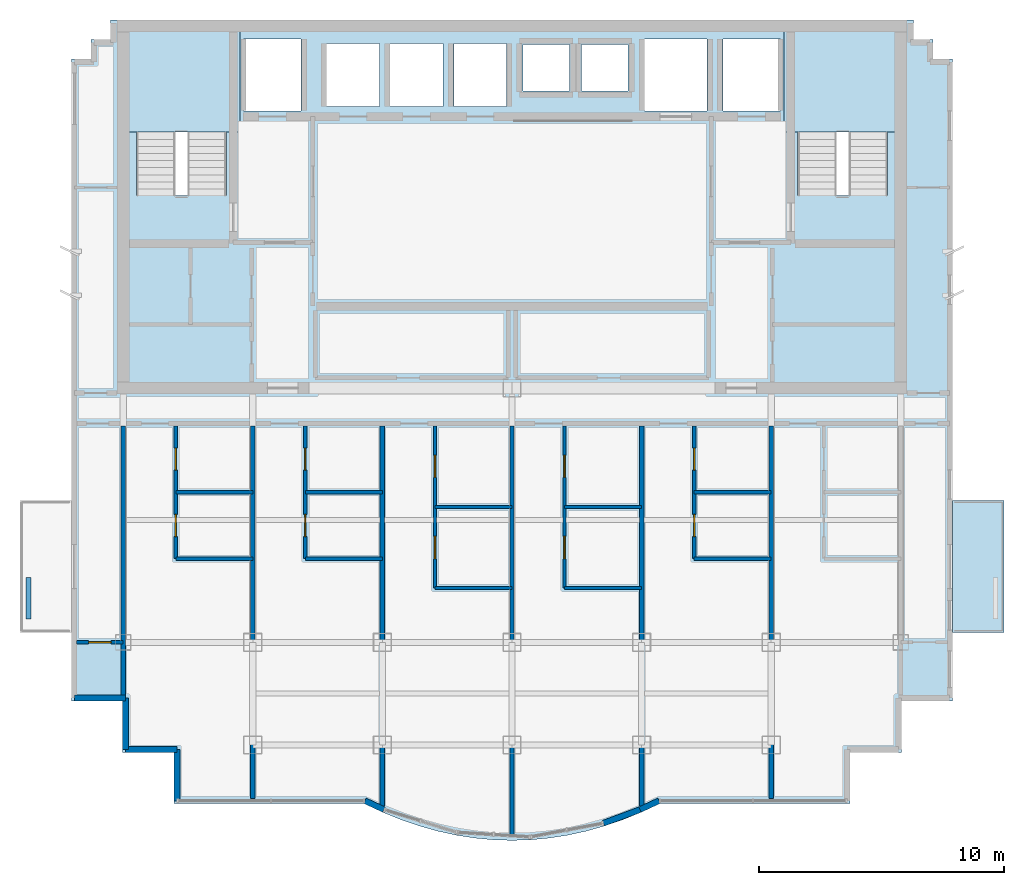
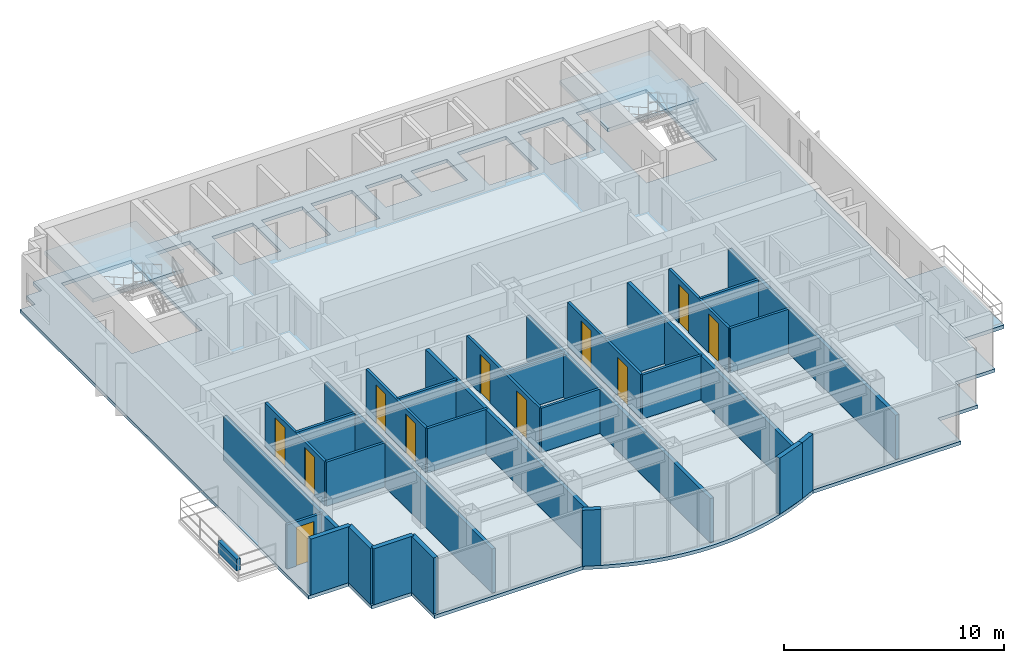
# One storey, part 3 of 9: 30 walls, 11 doors, 4 slabs, 11 openings, 2 elements without a shape of their own.
"""IFC4 building model written with IfcOpenShell, lengths in metres."""

from ifc_helpers import new_model, si_unit, direction, frame, frame_2d, origin, place, context, subcontext, project, spatial, polyline, rectangle, outline, extrude, material, layer, layer_set, type_object, element, fill, aggregate, save


model = new_model("IFC4")

# Units and contexts
model_context = context("Model", 3, precision=1e-05, world=origin(), true_north=direction((0.0, 1.0)))
body_context = subcontext(model_context, "Body", "Model", "MODEL_VIEW")
ifc_project = project(units=[si_unit("LENGTHUNIT", "METRE"), si_unit("AREAUNIT", "SQUARE_METRE"), si_unit("VOLUMEUNIT", "CUBIC_METRE"), si_unit("PLANEANGLEUNIT", "RADIAN"), si_unit("MASSUNIT", "GRAM", prefix="KILO")], contexts=[model_context])

# Site, building, storey
site_placement = place(None, origin())
site = spatial("IfcSite", under=ifc_project, at=site_placement, CompositionType="ELEMENT")
building_placement = place(site_placement, origin())
building = spatial("IfcBuilding", under=site, at=building_placement, Name="Qianlan Lanfeng Residences", CompositionType="ELEMENT")
storey_placement = place(building_placement, frame((0.0, 0.0, 233.0)))
storey = spatial("IfcBuildingStorey", under=building, at=storey_placement, Name="L64", CompositionType="ELEMENT", Elevation=233.0)

# Slabs
ifc_material_1 = material(Name="Concrete C42", Category="concrete")
ifc_layer_1 = layer(ifc_material_1, 0.199951171875)
ifc_layer_set_1 = layer_set([ifc_layer_1], Name="Concrete C42")
slab_type_1 = type_object("IfcSlabType", Name="S-BAL-200", PredefinedType="FLOOR", material=ifc_layer_set_1)
slab_1_placement = place(storey_placement, frame((0.0, 0.0, -0.199951171875)))
element("IfcSlab", 1, at=slab_1_placement, inside=storey, type_object=slab_type_1, Name="L64 Planted Tree Balcony Slab EB-N", PredefinedType="FLOOR", context=body_context, shape_type="SweptSolid", body=[
    extrude(outline(polyline([(44.52001953125, 20.60009765625), (44.52001953125, 15.199951171875), (46.6201171875, 15.199951171875), (46.6201171875, 20.60009765625), (44.52001953125, 20.60009765625)])), origin(), (0.0, 0.0, 1.0), 0.199951171875),
])
ifc_layer_2 = layer(ifc_material_1, 0.18994140625)
ifc_layer_set_2 = layer_set([ifc_layer_2], Name="Concrete C42")
slab_type_2 = type_object("IfcSlabType", Name="S-FL-190", PredefinedType="FLOOR", material=ifc_layer_set_2)
slab_2_placement = place(storey_placement, frame((0.0, 0.0, -0.18994140625)))
element("IfcSlab", 2, at=slab_2_placement, inside=storey, type_object=slab_type_2, Name="L64 Structural Floor Slab", PredefinedType="FLOOR", context=body_context, shape_type="SweptSolid", body=[
    extrude(outline(polyline([(8.47998046875, 12.39990234375), (10.580078125, 12.39990234375), (10.580078125, 10.300048828125), (12.679931640625, 10.300048828125), (12.679931640625, 8.199951171875), (20.4599609375, 8.199951171875), (21.215087890625, 7.847900390625), (21.969970703125, 7.5439453125), (22.72509765625, 7.285888671875), (23.47998046875, 7.074951171875), (24.235107421875, 6.910888671875), (24.989990234375, 6.7939453125), (25.7451171875, 6.722900390625), (26.5, 6.699951171875), (27.2548828125, 6.722900390625), (28.010009765625, 6.7939453125), (28.764892578125, 6.910888671875), (29.52001953125, 7.074951171875), (30.27490234375, 7.285888671875), (31.030029296875, 7.5439453125), (31.784912109375, 7.847900390625), (32.5400390625, 8.199951171875), (40.320068359375, 8.199951171875), (40.320068359375, 10.300048828125), (42.419921875, 10.300048828125), (42.419921875, 12.39990234375), (44.52001953125, 12.39990234375), (44.52001953125, 38.64990234375), (43.719970703125, 38.64990234375), (43.719970703125, 39.449951171875), (42.919921875, 39.449951171875), (42.919921875, 40.25), (10.080078125, 40.25), (10.080078125, 39.449951171875), (9.280029296875, 39.449951171875), (9.280029296875, 38.64990234375), (8.47998046875, 38.64990234375), (8.47998046875, 12.39990234375)]), holes=[polyline([(11.139892578125, 33.080078125), (11.139892578125, 39.5), (14.820068359375, 39.5), (14.820068359375, 33.080078125), (11.139892578125, 33.080078125)]), polyline([(38.179931640625, 33.080078125), (38.179931640625, 39.5), (41.860107421875, 39.5), (41.860107421875, 33.080078125), (38.179931640625, 33.080078125)]), polyline([(15.52001953125, 36.52001953125), (15.52001953125, 39.47998046875), (17.8798828125, 39.47998046875), (17.8798828125, 36.52001953125), (15.52001953125, 36.52001953125)]), polyline([(35.1201171875, 36.52001953125), (35.1201171875, 39.47998046875), (37.47998046875, 39.47998046875), (37.47998046875, 36.52001953125), (35.1201171875, 36.52001953125)]), polyline([(31.919921875, 36.52001953125), (31.919921875, 39.47998046875), (34.47998046875, 39.47998046875), (34.47998046875, 36.52001953125), (31.919921875, 36.52001953125)]), polyline([(18.919921875, 36.719970703125), (18.919921875, 39.280029296875), (21.080078125, 39.280029296875), (21.080078125, 36.719970703125), (18.919921875, 36.719970703125)]), polyline([(21.52001953125, 36.719970703125), (21.52001953125, 39.280029296875), (23.679931640625, 39.280029296875), (23.679931640625, 36.719970703125), (21.52001953125, 36.719970703125)]), polyline([(24.1201171875, 36.719970703125), (24.1201171875, 39.280029296875), (26.280029296875, 39.280029296875), (26.280029296875, 36.719970703125), (24.1201171875, 36.719970703125)]), polyline([(26.949951171875, 37.35009765625), (26.949951171875, 39.25), (28.85009765625, 39.25), (28.85009765625, 37.35009765625), (26.949951171875, 37.35009765625)]), polyline([(29.35009765625, 37.35009765625), (29.35009765625, 39.25), (31.25, 39.25), (31.25, 37.35009765625), (29.35009765625, 37.35009765625)])]), origin(), (0.0, 0.0, 1.0), 0.18994140625),
])

# Stair, slab
stair_type = type_object("IfcStairType", Name="STR-MAIN", PredefinedType="HALF_TURN_STAIR", material=ifc_material_1)
stair_1_placement = place(storey_placement, origin())
stair_1 = element("IfcStair", 3, at=stair_1_placement, inside=storey, type_object=stair_type, Name="L64 Exit Stair ST-1", PredefinedType="HALF_TURN_STAIR")
ifc_layer_3 = layer(ifc_material_1, 0.179931640625)
ifc_layer_set_3 = layer_set([ifc_layer_3], Name="Concrete C42")
slab_type_3 = type_object("IfcSlabType", Name="S-LND-180", PredefinedType="LANDING", material=ifc_layer_set_3)
slab_3_placement = place(storey_placement, frame((0.0, 0.0, 1.449951171875)))
slab_3 = element("IfcSlab", 4, at=slab_3_placement, type_object=slab_type_3, Name="ST-1 landing 1", PredefinedType="LANDING", context=body_context, shape_type="SweptSolid", body=[
    extrude(outline(polyline([(10.580078125, 35.659912109375), (15.3798828125, 35.659912109375), (15.3798828125, 40.050048828125), (10.580078125, 40.050048828125), (10.580078125, 35.659912109375)])), origin(), (0.0, 0.0, 1.0), 0.199951171875),
])
aggregate(stair_1, [slab_3])

stair_2_placement = place(storey_placement, origin())
stair_2 = element("IfcStair", 5, at=stair_2_placement, inside=storey, type_object=stair_type, Name="L64 Exit Stair ST-2", PredefinedType="HALF_TURN_STAIR")
slab_4_placement = place(storey_placement, frame((0.0, 0.0, 1.449951171875)))
slab_4 = element("IfcSlab", 6, at=slab_4_placement, type_object=slab_type_3, Name="ST-2 landing 1", PredefinedType="LANDING", context=body_context, shape_type="SweptSolid", body=[
    extrude(outline(polyline([(37.6201171875, 35.659912109375), (42.419921875, 35.659912109375), (42.419921875, 40.050048828125), (37.6201171875, 40.050048828125), (37.6201171875, 35.659912109375)])), origin(), (0.0, 0.0, 1.0), 0.199951171875),
])
aggregate(stair_2, [slab_4])

# Walls
ifc_layer_4 = layer(ifc_material_1, 0.239990234375)
ifc_layer_set_4 = layer_set([ifc_layer_4], Name="Concrete C42")
wall_type_1 = type_object("IfcWallType", Name="EW-240", PredefinedType="SOLIDWALL", material=ifc_layer_set_4)
wall_1_placement = place(storey_placement, frame((8.60009765625, 12.52001953125, 0.0), z_axis=(0.0, 0.0, 1.0), x_axis=(1.0, 0.0, 0.0)))
element("IfcWall", 7, at=wall_1_placement, inside=storey, type_object=wall_type_1, Name="L64 Exterior Facade Spandrel Wall 1", PredefinedType="SOLIDWALL", context=body_context, shape_type="SweptSolid", body=[
    extrude(rectangle(XDim=2.099853515625, YDim=0.239990234375, at=frame_2d((1.0498046875, 0.0))), origin(), (0.0, 0.0, 1.0), 3.110107421875),
])
for number, where, z_axis, x_axis, name in (
    (8, (10.699951171875, 12.52001953125, 0.0), (0.0, 0.0, 1.0), (0.0, -1.0, 0.0), "L64 Exterior Facade Spandrel Wall 2"),
    (9, (10.699951171875, 10.419921875, 0.0), (0.0, 0.0, 1.0), (1.0, 0.0, 0.0), "L64 Exterior Facade Spandrel Wall 3"),
):
    element("IfcWall", number, at=place(storey_placement, frame(where, z_axis=z_axis, x_axis=x_axis)), inside=storey, type_object=wall_type_1, Name=name, PredefinedType="SOLIDWALL", context=body_context, shape_type="SweptSolid", body=[
        extrude(rectangle(XDim=2.10009765625, YDim=0.239990234375, at=frame_2d((1.050048828125, 0.0))), origin(), (0.0, 0.0, 1.0), 3.110107421875),
    ])
wall_2_placement = place(storey_placement, frame((12.800048828125, 10.419921875, 0.0), z_axis=(0.0, 0.0, 1.0), x_axis=(0.0, -1.0, 0.0)))
element("IfcWall", 10, at=wall_2_placement, inside=storey, type_object=wall_type_1, Name="L64 Exterior Facade Spandrel Wall 4", PredefinedType="SOLIDWALL", context=body_context, shape_type="SweptSolid", body=[
    extrude(rectangle(XDim=2.099853515625, YDim=0.239990234375, at=frame_2d((1.0498046875, 0.0))), origin(), (0.0, 0.0, 1.0), 3.110107421875),
])
wall_3_placement = place(storey_placement, frame((20.487060546875, 8.320068359375, 0.0), z_axis=(0.0, 0.0, 1.0), x_axis=(0.906190424584, -0.422869855147, 0.0)))
element("IfcWall", 11, at=wall_3_placement, inside=storey, type_object=wall_type_1, Name="L64 Exterior Facade Spandrel Wall 5", PredefinedType="SOLIDWALL", context=body_context, shape_type="SweptSolid", body=[
    extrude(rectangle(XDim=0.856201171875, YDim=0.239990234375, at=frame_2d((0.42822265625, 0.0))), origin(), (0.0, 0.0, 1.0), 3.110107421875),
])
wall_4_placement = place(storey_placement, frame((30.239013671875, 7.40087890625, 0.0), z_axis=(0.0, 0.0, 1.0), x_axis=(0.937279890693, 0.34857769077, 0.0)))
element("IfcWall", 12, at=wall_4_placement, inside=storey, type_object=wall_type_1, Name="L64 Exterior Facade Spandrel Wall 6", PredefinedType="SOLIDWALL", context=body_context, shape_type="SweptSolid", body=[
    extrude(rectangle(XDim=1.598388671875, YDim=0.239990234375, at=frame_2d((0.79931640625, 0.0))), origin(), (0.0, 0.0, 1.0), 3.110107421875),
])
wall_5_placement = place(storey_placement, frame((31.737060546875, 7.9580078125, 0.0), z_axis=(0.0, 0.0, 1.0), x_axis=(0.906190424584, 0.422869855147, 0.0)))
element("IfcWall", 13, at=wall_5_placement, inside=storey, type_object=wall_type_1, Name="L64 Exterior Facade Spandrel Wall 7", PredefinedType="SOLIDWALL", context=body_context, shape_type="SweptSolid", body=[
    extrude(rectangle(XDim=0.856201171875, YDim=0.239990234375, at=frame_2d((0.42822265625, 0.0))), origin(), (0.0, 0.0, 1.0), 3.110107421875),
])
ifc_layer_5 = layer(ifc_material_1, 0.199951171875)
ifc_layer_set_5 = layer_set([ifc_layer_5], Name="Concrete C42")
wall_type_2 = type_object("IfcWallType", Name="PL-TREE-200", PredefinedType="PARAPET", material=ifc_layer_set_5)
wall_6_placement = place(storey_placement, frame((6.72998046875, 15.75, 0.0), z_axis=(0.0, 0.0, 1.0), x_axis=(0.0, 1.0, 0.0)))
element("IfcWall", 14, at=wall_6_placement, inside=storey, type_object=wall_type_2, Name="L64 West Tree Planter Curb WB-S", PredefinedType="PARAPET", context=body_context, shape_type="SweptSolid", body=[
    extrude(rectangle(XDim=1.699951171875, YDim=0.199951171875, at=frame_2d((0.85009765625, 0.0))), origin(), (0.0, 0.0, 1.0), 0.64990234375),
])

# Wall, openings, doors
ifc_material_2 = material(Name="Moisture-Resistant Gypsum Partition 135 mm")
ifc_layer_6 = layer(ifc_material_2, 0.135009765625)
ifc_layer_set_6 = layer_set([ifc_layer_6], Name="Moisture-Resistant Gypsum Partition 135 mm")
wall_type_3 = type_object("IfcWallType", Name="PW-135", PredefinedType="PARTITIONING", material=ifc_layer_set_6)
wall_7_placement = place(storey_placement, frame((12.75, 18.219970703125, 0.0), z_axis=(0.0, 0.0, 1.0), x_axis=(0.0, 1.0, 0.0)))
wall_7 = element("IfcWall", 15, at=wall_7_placement, inside=storey, type_object=wall_type_3, Name="L64 U01 Wet Stack Spine", PredefinedType="PARTITIONING", context=body_context, shape_type="SweptSolid", body=[
    extrude(rectangle(XDim=5.429931640625, YDim=0.135009765625, at=frame_2d((2.71484375, 0.0))), origin(), (0.0, 0.0, 1.0), 2.449951171875),
])
opening_1_placement = place(wall_7_placement, frame((0.89794921875, 0.0, 0.0)))
opening_1 = element("IfcOpeningElement", 16, at=opening_1_placement, cuts=wall_7, Name="Opening L64-D19", PredefinedType="OPENING", context=body_context, shape_type="SweptSolid", body=[
    extrude(rectangle(XDim=0.919921875, YDim=2.14990234375, at=frame_2d((0.4599609375, 1.074951171875))), frame((0.0, 0.07763671875, 0.0), z_axis=(0.0, -1.0, 0.0), x_axis=(1.0, 0.0, 0.0)), (0.0, 0.0, 1.0), 0.155029296875),
])
opening_2_placement = place(wall_7_placement, frame((3.6220703125, 0.0, 0.0)))
opening_2 = element("IfcOpeningElement", 17, at=opening_2_placement, cuts=wall_7, Name="Opening L64-D20", PredefinedType="OPENING", context=body_context, shape_type="SweptSolid", body=[
    extrude(rectangle(XDim=0.89990234375, YDim=2.14990234375, at=frame_2d((0.449951171875, 1.074951171875))), frame((0.0, 0.07763671875, 0.0), z_axis=(0.0, -1.0, 0.0), x_axis=(1.0, 0.0, 0.0)), (0.0, 0.0, 1.0), 0.155029296875),
])
ifc_material_3 = material(Name="Glazed Timber Kitchen/Study Door", Category="wood")
door_type_1 = type_object("IfcDoorType", Name="DT-INT", OperationType="NOTDEFINED", PredefinedType="DOOR", material=ifc_material_3)
door_1_placement = place(opening_1_placement, origin())
door_1 = element("IfcDoor", 18, at=door_1_placement, inside=storey, type_object=door_type_1, Name="L64 U01 Kitchen Door L64-D19 (DT-INT)", OperationType="SINGLE_SWING_LEFT", OverallHeight=2.14990234375, OverallWidth=0.919921875, PredefinedType="DOOR", context=body_context, shape_type="SweptSolid", body=[
    extrude(rectangle(XDim=0.919921875, YDim=2.14990234375, at=frame_2d((0.4599609375, 1.074951171875))), frame((0.0, 0.02490234375, 0.0), z_axis=(0.0, -1.0, 0.0), x_axis=(1.0, 0.0, 0.0)), (0.0, 0.0, 1.0), 0.050048828125),
])
fill(opening_1, door_1)
ifc_material_4 = material(Name="Moisture-Resistant Timber Leaf", Category="wood")
door_type_2 = type_object("IfcDoorType", Name="DT-WC", OperationType="NOTDEFINED", PredefinedType="DOOR", material=ifc_material_4)
door_2_placement = place(opening_2_placement, origin())
door_2 = element("IfcDoor", 19, at=door_2_placement, inside=storey, type_object=door_type_2, Name="L64 U01 Bathroom Door L64-D20 (DT-WC)", OperationType="SINGLE_SWING_RIGHT", OverallHeight=2.14990234375, OverallWidth=0.89990234375, PredefinedType="DOOR", context=body_context, shape_type="SweptSolid", body=[
    extrude(rectangle(XDim=0.89990234375, YDim=2.14990234375, at=frame_2d((0.449951171875, 1.074951171875))), frame((0.0, 0.02490234375, 0.0), z_axis=(0.0, -1.0, 0.0), x_axis=(1.0, 0.0, 0.0)), (0.0, 0.0, 1.0), 0.050048828125),
])
fill(opening_2, door_2)

# Walls
for number, where, z_axis, x_axis, name in (
    (20, (12.75, 18.219970703125, 0.0), (0.0, 0.0, 1.0), (1.0, 0.0, 0.0), "L64 U01 Kitchen South Wall"),
    (21, (12.75, 20.93505859375, 0.0), (0.0, 0.0, 1.0), (1.0, 0.0, 0.0), "L64 U01 Bathroom South Wall"),
):
    element("IfcWall", number, at=place(storey_placement, frame(where, z_axis=z_axis, x_axis=x_axis)), inside=storey, type_object=wall_type_3, Name=name, PredefinedType="PARTITIONING", context=body_context, shape_type="SweptSolid", body=[
        extrude(rectangle(XDim=3.14990234375, YDim=0.135009765625, at=frame_2d((1.574951171875, 0.0))), origin(), (0.0, 0.0, 1.0), 2.449951171875),
    ])

# Wall, openings, doors
wall_8_placement = place(storey_placement, frame((18.050048828125, 18.219970703125, 0.0), z_axis=(0.0, 0.0, 1.0), x_axis=(0.0, 1.0, 0.0)))
wall_8 = element("IfcWall", 22, at=wall_8_placement, inside=storey, type_object=wall_type_3, Name="L64 U02 Wet Stack Spine", PredefinedType="PARTITIONING", context=body_context, shape_type="SweptSolid", body=[
    extrude(rectangle(XDim=5.429931640625, YDim=0.135009765625, at=frame_2d((2.71484375, 0.0))), origin(), (0.0, 0.0, 1.0), 2.449951171875),
])
opening_3_placement = place(wall_8_placement, frame((0.89794921875, 0.0, 0.0)))
opening_3 = element("IfcOpeningElement", 23, at=opening_3_placement, cuts=wall_8, Name="Opening L64-D22", PredefinedType="OPENING", context=body_context, shape_type="SweptSolid", body=[
    extrude(rectangle(XDim=0.919921875, YDim=2.14990234375, at=frame_2d((0.4599609375, 1.074951171875))), frame((0.0, 0.07763671875, 0.0), z_axis=(0.0, -1.0, 0.0), x_axis=(1.0, 0.0, 0.0)), (0.0, 0.0, 1.0), 0.155029296875),
])
opening_4_placement = place(wall_8_placement, frame((3.6220703125, 0.0, 0.0)))
opening_4 = element("IfcOpeningElement", 24, at=opening_4_placement, cuts=wall_8, Name="Opening L64-D23", PredefinedType="OPENING", context=body_context, shape_type="SweptSolid", body=[
    extrude(rectangle(XDim=0.89990234375, YDim=2.14990234375, at=frame_2d((0.449951171875, 1.074951171875))), frame((0.0, 0.07763671875, 0.0), z_axis=(0.0, -1.0, 0.0), x_axis=(1.0, 0.0, 0.0)), (0.0, 0.0, 1.0), 0.155029296875),
])
door_3_placement = place(opening_3_placement, origin())
door_3 = element("IfcDoor", 25, at=door_3_placement, inside=storey, type_object=door_type_1, Name="L64 U02 Kitchen Door L64-D22 (DT-INT)", OperationType="SINGLE_SWING_RIGHT", OverallHeight=2.14990234375, OverallWidth=0.919921875, PredefinedType="DOOR", context=body_context, shape_type="SweptSolid", body=[
    extrude(rectangle(XDim=0.919921875, YDim=2.14990234375, at=frame_2d((0.4599609375, 1.074951171875))), frame((0.0, 0.02490234375, 0.0), z_axis=(0.0, -1.0, 0.0), x_axis=(1.0, 0.0, 0.0)), (0.0, 0.0, 1.0), 0.050048828125),
])
fill(opening_3, door_3)
door_4_placement = place(opening_4_placement, origin())
door_4 = element("IfcDoor", 26, at=door_4_placement, inside=storey, type_object=door_type_2, Name="L64 U02 Bathroom Door L64-D23 (DT-WC)", OperationType="SINGLE_SWING_LEFT", OverallHeight=2.14990234375, OverallWidth=0.89990234375, PredefinedType="DOOR", context=body_context, shape_type="SweptSolid", body=[
    extrude(rectangle(XDim=0.89990234375, YDim=2.14990234375, at=frame_2d((0.449951171875, 1.074951171875))), frame((0.0, 0.02490234375, 0.0), z_axis=(0.0, -1.0, 0.0), x_axis=(1.0, 0.0, 0.0)), (0.0, 0.0, 1.0), 0.050048828125),
])
fill(opening_4, door_4)

# Walls
for number, where, z_axis, x_axis, name in (
    (27, (18.050048828125, 18.219970703125, 0.0), (0.0, 0.0, 1.0), (1.0, 0.0, 0.0), "L64 U02 Kitchen South Wall"),
    (28, (18.050048828125, 20.93505859375, 0.0), (0.0, 0.0, 1.0), (1.0, 0.0, 0.0), "L64 U02 Bathroom South Wall"),
):
    element("IfcWall", number, at=place(storey_placement, frame(where, z_axis=z_axis, x_axis=x_axis)), inside=storey, type_object=wall_type_3, Name=name, PredefinedType="PARTITIONING", context=body_context, shape_type="SweptSolid", body=[
        extrude(rectangle(XDim=3.14990234375, YDim=0.135009765625, at=frame_2d((1.574951171875, 0.0))), origin(), (0.0, 0.0, 1.0), 2.449951171875),
    ])

# Wall, openings, doors
wall_9_placement = place(storey_placement, frame((23.35009765625, 17.02001953125, 0.0), z_axis=(0.0, 0.0, 1.0), x_axis=(0.0, 1.0, 0.0)))
wall_9 = element("IfcWall", 29, at=wall_9_placement, inside=storey, type_object=wall_type_3, Name="L64 U03 Wet Stack Spine", PredefinedType="PARTITIONING", context=body_context, shape_type="SweptSolid", body=[
    extrude(rectangle(XDim=6.6298828125, YDim=0.135009765625, at=frame_2d((3.31494140625, 0.0))), origin(), (0.0, 0.0, 1.0), 2.449951171875),
])
opening_5_placement = place(wall_9_placement, frame((1.197998046875, 0.0, 0.0)))
opening_5 = element("IfcOpeningElement", 30, at=opening_5_placement, cuts=wall_9, Name="Opening L64-D25", PredefinedType="OPENING", context=body_context, shape_type="SweptSolid", body=[
    extrude(rectangle(XDim=0.919921875, YDim=2.14990234375, at=frame_2d((0.4599609375, 1.074951171875))), frame((0.0, 0.07763671875, 0.0), z_axis=(0.0, -1.0, 0.0), x_axis=(1.0, 0.0, 0.0)), (0.0, 0.0, 1.0), 0.155029296875),
])
opening_6_placement = place(wall_9_placement, frame((4.52197265625, 0.0, 0.0)))
opening_6 = element("IfcOpeningElement", 31, at=opening_6_placement, cuts=wall_9, Name="Opening L64-D26", PredefinedType="OPENING", context=body_context, shape_type="SweptSolid", body=[
    extrude(rectangle(XDim=0.89990234375, YDim=2.14990234375, at=frame_2d((0.449951171875, 1.074951171875))), frame((0.0, 0.07763671875, 0.0), z_axis=(0.0, -1.0, 0.0), x_axis=(1.0, 0.0, 0.0)), (0.0, 0.0, 1.0), 0.155029296875),
])
door_5_placement = place(opening_5_placement, origin())
door_5 = element("IfcDoor", 32, at=door_5_placement, inside=storey, type_object=door_type_1, Name="L64 U03 Kitchen Door L64-D25 (DT-INT)", OperationType="SINGLE_SWING_LEFT", OverallHeight=2.14990234375, OverallWidth=0.919921875, PredefinedType="DOOR", context=body_context, shape_type="SweptSolid", body=[
    extrude(rectangle(XDim=0.919921875, YDim=2.14990234375, at=frame_2d((0.4599609375, 1.074951171875))), frame((0.0, 0.02490234375, 0.0), z_axis=(0.0, -1.0, 0.0), x_axis=(1.0, 0.0, 0.0)), (0.0, 0.0, 1.0), 0.050048828125),
])
fill(opening_5, door_5)
door_6_placement = place(opening_6_placement, origin())
door_6 = element("IfcDoor", 33, at=door_6_placement, inside=storey, type_object=door_type_2, Name="L64 U03 Bathroom Door L64-D26 (DT-WC)", OperationType="SINGLE_SWING_RIGHT", OverallHeight=2.14990234375, OverallWidth=0.89990234375, PredefinedType="DOOR", context=body_context, shape_type="SweptSolid", body=[
    extrude(rectangle(XDim=0.89990234375, YDim=2.14990234375, at=frame_2d((0.449951171875, 1.074951171875))), frame((0.0, 0.02490234375, 0.0), z_axis=(0.0, -1.0, 0.0), x_axis=(1.0, 0.0, 0.0)), (0.0, 0.0, 1.0), 0.050048828125),
])
fill(opening_6, door_6)

# Walls
for number, where, z_axis, x_axis, name in (
    (34, (23.35009765625, 17.02001953125, 0.0), (0.0, 0.0, 1.0), (1.0, 0.0, 0.0), "L64 U03 Kitchen South Wall"),
    (35, (23.35009765625, 20.3349609375, 0.0), (0.0, 0.0, 1.0), (1.0, 0.0, 0.0), "L64 U03 Bathroom South Wall"),
):
    element("IfcWall", number, at=place(storey_placement, frame(where, z_axis=z_axis, x_axis=x_axis)), inside=storey, type_object=wall_type_3, Name=name, PredefinedType="PARTITIONING", context=body_context, shape_type="SweptSolid", body=[
        extrude(rectangle(XDim=3.14990234375, YDim=0.135009765625, at=frame_2d((1.574951171875, 0.0))), origin(), (0.0, 0.0, 1.0), 2.449951171875),
    ])

# Wall, openings, doors
wall_10_placement = place(storey_placement, frame((28.64990234375, 17.02001953125, 0.0), z_axis=(0.0, 0.0, 1.0), x_axis=(0.0, 1.0, 0.0)))
wall_10 = element("IfcWall", 36, at=wall_10_placement, inside=storey, type_object=wall_type_3, Name="L64 U04 Wet Stack Spine", PredefinedType="PARTITIONING", context=body_context, shape_type="SweptSolid", body=[
    extrude(rectangle(XDim=6.6298828125, YDim=0.135009765625, at=frame_2d((3.31494140625, 0.0))), origin(), (0.0, 0.0, 1.0), 2.449951171875),
])
opening_7_placement = place(wall_10_placement, frame((1.197998046875, 0.0, 0.0)))
opening_7 = element("IfcOpeningElement", 37, at=opening_7_placement, cuts=wall_10, Name="Opening L64-D28", PredefinedType="OPENING", context=body_context, shape_type="SweptSolid", body=[
    extrude(rectangle(XDim=0.919921875, YDim=2.14990234375, at=frame_2d((0.4599609375, 1.074951171875))), frame((0.0, 0.07763671875, 0.0), z_axis=(0.0, -1.0, 0.0), x_axis=(1.0, 0.0, 0.0)), (0.0, 0.0, 1.0), 0.155029296875),
])
opening_8_placement = place(wall_10_placement, frame((4.52197265625, 0.0, 0.0)))
opening_8 = element("IfcOpeningElement", 38, at=opening_8_placement, cuts=wall_10, Name="Opening L64-D29", PredefinedType="OPENING", context=body_context, shape_type="SweptSolid", body=[
    extrude(rectangle(XDim=0.89990234375, YDim=2.14990234375, at=frame_2d((0.449951171875, 1.074951171875))), frame((0.0, 0.07763671875, 0.0), z_axis=(0.0, -1.0, 0.0), x_axis=(1.0, 0.0, 0.0)), (0.0, 0.0, 1.0), 0.155029296875),
])
door_7_placement = place(opening_7_placement, origin())
door_7 = element("IfcDoor", 39, at=door_7_placement, inside=storey, type_object=door_type_1, Name="L64 U04 Kitchen Door L64-D28 (DT-INT)", OperationType="SINGLE_SWING_RIGHT", OverallHeight=2.14990234375, OverallWidth=0.919921875, PredefinedType="DOOR", context=body_context, shape_type="SweptSolid", body=[
    extrude(rectangle(XDim=0.919921875, YDim=2.14990234375, at=frame_2d((0.4599609375, 1.074951171875))), frame((0.0, 0.02490234375, 0.0), z_axis=(0.0, -1.0, 0.0), x_axis=(1.0, 0.0, 0.0)), (0.0, 0.0, 1.0), 0.050048828125),
])
fill(opening_7, door_7)
door_8_placement = place(opening_8_placement, origin())
door_8 = element("IfcDoor", 40, at=door_8_placement, inside=storey, type_object=door_type_2, Name="L64 U04 Bathroom Door L64-D29 (DT-WC)", OperationType="SINGLE_SWING_LEFT", OverallHeight=2.14990234375, OverallWidth=0.89990234375, PredefinedType="DOOR", context=body_context, shape_type="SweptSolid", body=[
    extrude(rectangle(XDim=0.89990234375, YDim=2.14990234375, at=frame_2d((0.449951171875, 1.074951171875))), frame((0.0, 0.02490234375, 0.0), z_axis=(0.0, -1.0, 0.0), x_axis=(1.0, 0.0, 0.0)), (0.0, 0.0, 1.0), 0.050048828125),
])
fill(opening_8, door_8)

# Walls
for number, where, z_axis, x_axis, name in (
    (41, (28.64990234375, 17.02001953125, 0.0), (0.0, 0.0, 1.0), (1.0, 0.0, 0.0), "L64 U04 Kitchen South Wall"),
    (42, (28.64990234375, 20.3349609375, 0.0), (0.0, 0.0, 1.0), (1.0, 0.0, 0.0), "L64 U04 Bathroom South Wall"),
):
    element("IfcWall", number, at=place(storey_placement, frame(where, z_axis=z_axis, x_axis=x_axis)), inside=storey, type_object=wall_type_3, Name=name, PredefinedType="PARTITIONING", context=body_context, shape_type="SweptSolid", body=[
        extrude(rectangle(XDim=3.150146484375, YDim=0.135009765625, at=frame_2d((1.5751953125, 0.0))), origin(), (0.0, 0.0, 1.0), 2.449951171875),
    ])

# Wall, openings, doors
wall_11_placement = place(storey_placement, frame((33.949951171875, 18.219970703125, 0.0), z_axis=(0.0, 0.0, 1.0), x_axis=(0.0, 1.0, 0.0)))
wall_11 = element("IfcWall", 43, at=wall_11_placement, inside=storey, type_object=wall_type_3, Name="L64 U05 Wet Stack Spine", PredefinedType="PARTITIONING", context=body_context, shape_type="SweptSolid", body=[
    extrude(rectangle(XDim=5.429931640625, YDim=0.135009765625, at=frame_2d((2.71484375, 0.0))), origin(), (0.0, 0.0, 1.0), 2.449951171875),
])
opening_9_placement = place(wall_11_placement, frame((0.89794921875, 0.0, 0.0)))
opening_9 = element("IfcOpeningElement", 44, at=opening_9_placement, cuts=wall_11, Name="Opening L64-D31", PredefinedType="OPENING", context=body_context, shape_type="SweptSolid", body=[
    extrude(rectangle(XDim=0.919921875, YDim=2.14990234375, at=frame_2d((0.4599609375, 1.074951171875))), frame((0.0, 0.07763671875, 0.0), z_axis=(0.0, -1.0, 0.0), x_axis=(1.0, 0.0, 0.0)), (0.0, 0.0, 1.0), 0.155029296875),
])
opening_10_placement = place(wall_11_placement, frame((3.6220703125, 0.0, 0.0)))
opening_10 = element("IfcOpeningElement", 45, at=opening_10_placement, cuts=wall_11, Name="Opening L64-D32", PredefinedType="OPENING", context=body_context, shape_type="SweptSolid", body=[
    extrude(rectangle(XDim=0.89990234375, YDim=2.14990234375, at=frame_2d((0.449951171875, 1.074951171875))), frame((0.0, 0.07763671875, 0.0), z_axis=(0.0, -1.0, 0.0), x_axis=(1.0, 0.0, 0.0)), (0.0, 0.0, 1.0), 0.155029296875),
])
door_9_placement = place(opening_9_placement, origin())
door_9 = element("IfcDoor", 46, at=door_9_placement, inside=storey, type_object=door_type_1, Name="L64 U05 Kitchen Door L64-D31 (DT-INT)", OperationType="SINGLE_SWING_LEFT", OverallHeight=2.14990234375, OverallWidth=0.919921875, PredefinedType="DOOR", context=body_context, shape_type="SweptSolid", body=[
    extrude(rectangle(XDim=0.919921875, YDim=2.14990234375, at=frame_2d((0.4599609375, 1.074951171875))), frame((0.0, 0.02490234375, 0.0), z_axis=(0.0, -1.0, 0.0), x_axis=(1.0, 0.0, 0.0)), (0.0, 0.0, 1.0), 0.050048828125),
])
fill(opening_9, door_9)
door_10_placement = place(opening_10_placement, origin())
door_10 = element("IfcDoor", 47, at=door_10_placement, inside=storey, type_object=door_type_2, Name="L64 U05 Bathroom Door L64-D32 (DT-WC)", OperationType="SINGLE_SWING_RIGHT", OverallHeight=2.14990234375, OverallWidth=0.89990234375, PredefinedType="DOOR", context=body_context, shape_type="SweptSolid", body=[
    extrude(rectangle(XDim=0.89990234375, YDim=2.14990234375, at=frame_2d((0.449951171875, 1.074951171875))), frame((0.0, 0.02490234375, 0.0), z_axis=(0.0, -1.0, 0.0), x_axis=(1.0, 0.0, 0.0)), (0.0, 0.0, 1.0), 0.050048828125),
])
fill(opening_10, door_10)

# Walls
for number, where, z_axis, x_axis, name in (
    (48, (33.949951171875, 18.219970703125, 0.0), (0.0, 0.0, 1.0), (1.0, 0.0, 0.0), "L64 U05 Kitchen South Wall"),
    (49, (33.949951171875, 20.93505859375, 0.0), (0.0, 0.0, 1.0), (1.0, 0.0, 0.0), "L64 U05 Bathroom South Wall"),
):
    element("IfcWall", number, at=place(storey_placement, frame(where, z_axis=z_axis, x_axis=x_axis)), inside=storey, type_object=wall_type_3, Name=name, PredefinedType="PARTITIONING", context=body_context, shape_type="SweptSolid", body=[
        extrude(rectangle(XDim=3.150146484375, YDim=0.135009765625, at=frame_2d((1.5751953125, 0.0))), origin(), (0.0, 0.0, 1.0), 2.449951171875),
    ])

# Wall, opening, door
wall_12_placement = place(storey_placement, frame((8.699951171875, 14.800048828125, 0.0), z_axis=(0.0, 0.0, 1.0), x_axis=(1.0, 0.0, 0.0)))
wall_12 = element("IfcWall", 50, at=wall_12_placement, inside=storey, type_object=wall_type_3, Name="L64 SWP Mid Partition", PredefinedType="PARTITIONING", context=body_context, shape_type="SweptSolid", body=[
    extrude(rectangle(XDim=1.900146484375, YDim=0.135009765625, at=frame_2d((0.9501953125, 0.0))), origin(), (0.0, 0.0, 1.0), 2.449951171875),
])
opening_11_placement = place(wall_12_placement, frame((0.489990234375, 0.0, 0.0)))
opening_11 = element("IfcOpeningElement", 51, at=opening_11_placement, cuts=wall_12, Name="Opening L64-D36", PredefinedType="OPENING", context=body_context, shape_type="SweptSolid", body=[
    extrude(rectangle(XDim=0.919921875, YDim=2.14990234375, at=frame_2d((0.4599609375, 1.074951171875))), frame((0.0, 0.07763671875, 0.0), z_axis=(0.0, -1.0, 0.0), x_axis=(1.0, 0.0, 0.0)), (0.0, 0.0, 1.0), 0.155029296875),
])
door_11_placement = place(opening_11_placement, origin())
door_11 = element("IfcDoor", 52, at=door_11_placement, inside=storey, type_object=door_type_1, Name="L64 SWP Inner Door L64-D36 (DT-INT)", OperationType="SINGLE_SWING_LEFT", OverallHeight=2.14990234375, OverallWidth=0.919921875, PredefinedType="DOOR", context=body_context, shape_type="SweptSolid", body=[
    extrude(rectangle(XDim=0.919921875, YDim=2.14990234375, at=frame_2d((0.4599609375, 1.074951171875))), frame((0.0, 0.02490234375, 0.0), z_axis=(0.0, -1.0, 0.0), x_axis=(1.0, 0.0, 0.0)), (0.0, 0.0, 1.0), 0.050048828125),
])
fill(opening_11, door_11)

# Walls
ifc_material_5 = material(Name="Double-Layer Acoustic Gypsum Stud Wall 180 mm")
ifc_layer_7 = layer(ifc_material_5, 0.179931640625)
ifc_layer_set_7 = layer_set([ifc_layer_7], Name="Double-Layer Acoustic Gypsum Stud Wall 180 mm")
wall_type_4 = type_object("IfcWallType", Name="PW-180", PredefinedType="PARTITIONING", material=ifc_layer_set_7)
wall_13_placement = place(storey_placement, frame((10.60009765625, 12.6201171875, 0.0), z_axis=(0.0, 0.0, 1.0), x_axis=(0.0, 1.0, 0.0)))
element("IfcWall", 53, at=wall_13_placement, inside=storey, type_object=wall_type_4, Name="L64 Wing Boundary Party Wall W0", PredefinedType="PARTITIONING", context=body_context, shape_type="SweptSolid", body=[
    extrude(rectangle(XDim=11.02978515625, YDim=0.179931640625, at=frame_2d((5.514892578125, 0.0))), origin(), (0.0, 0.0, 1.0), 2.449951171875),
])
wall_14_placement = place(storey_placement, frame((15.89990234375, 8.419921875, 0.0), z_axis=(0.0, 0.0, 1.0), x_axis=(0.0, 1.0, 0.0)))
element("IfcWall", 54, at=wall_14_placement, inside=storey, type_object=wall_type_4, Name="L64 Inter-Tenancy Party Wall 2", PredefinedType="PARTITIONING", context=body_context, shape_type="SweptSolid", body=[
    extrude(rectangle(XDim=15.22998046875, YDim=0.179931640625, at=frame_2d((7.614990234375, 0.0))), origin(), (0.0, 0.0, 1.0), 2.449951171875),
])
wall_15_placement = place(storey_placement, frame((21.199951171875, 8.097900390625, 0.0), z_axis=(0.0, 0.0, 1.0), x_axis=(0.0, 1.0, 0.0)))
element("IfcWall", 55, at=wall_15_placement, inside=storey, type_object=wall_type_4, Name="L64 Inter-Tenancy Party Wall 3", PredefinedType="PARTITIONING", context=body_context, shape_type="SweptSolid", body=[
    extrude(rectangle(XDim=15.552001953125, YDim=0.179931640625, at=frame_2d((7.77587890625, 0.0))), origin(), (0.0, 0.0, 1.0), 2.449951171875),
])
wall_16_placement = place(storey_placement, frame((26.5, 6.919921875, 0.0), z_axis=(0.0, 0.0, 1.0), x_axis=(0.0, 1.0, 0.0)))
element("IfcWall", 56, at=wall_16_placement, inside=storey, type_object=wall_type_4, Name="L64 Inter-Tenancy Party Wall 4", PredefinedType="PARTITIONING", context=body_context, shape_type="SweptSolid", body=[
    extrude(rectangle(XDim=16.72998046875, YDim=0.179931640625, at=frame_2d((8.364990234375, 0.0))), origin(), (0.0, 0.0, 1.0), 2.449951171875),
])
wall_17_placement = place(storey_placement, frame((31.800048828125, 8.097900390625, 0.0), z_axis=(0.0, 0.0, 1.0), x_axis=(0.0, 1.0, 0.0)))
element("IfcWall", 57, at=wall_17_placement, inside=storey, type_object=wall_type_4, Name="L64 Inter-Tenancy Party Wall 5", PredefinedType="PARTITIONING", context=body_context, shape_type="SweptSolid", body=[
    extrude(rectangle(XDim=15.552001953125, YDim=0.179931640625, at=frame_2d((7.77587890625, 0.0))), origin(), (0.0, 0.0, 1.0), 2.449951171875),
])
wall_18_placement = place(storey_placement, frame((37.10009765625, 8.419921875, 0.0), z_axis=(0.0, 0.0, 1.0), x_axis=(0.0, 1.0, 0.0)))
element("IfcWall", 58, at=wall_18_placement, inside=storey, type_object=wall_type_4, Name="L64 Inter-Tenancy Party Wall 6", PredefinedType="PARTITIONING", context=body_context, shape_type="SweptSolid", body=[
    extrude(rectangle(XDim=15.22998046875, YDim=0.179931640625, at=frame_2d((7.614990234375, 0.0))), origin(), (0.0, 0.0, 1.0), 2.449951171875),
])

save(model, "model.ifc")
